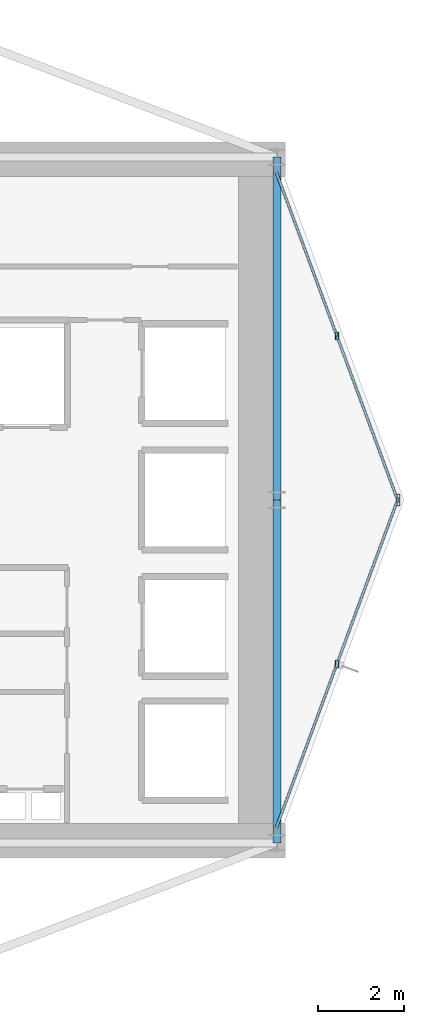
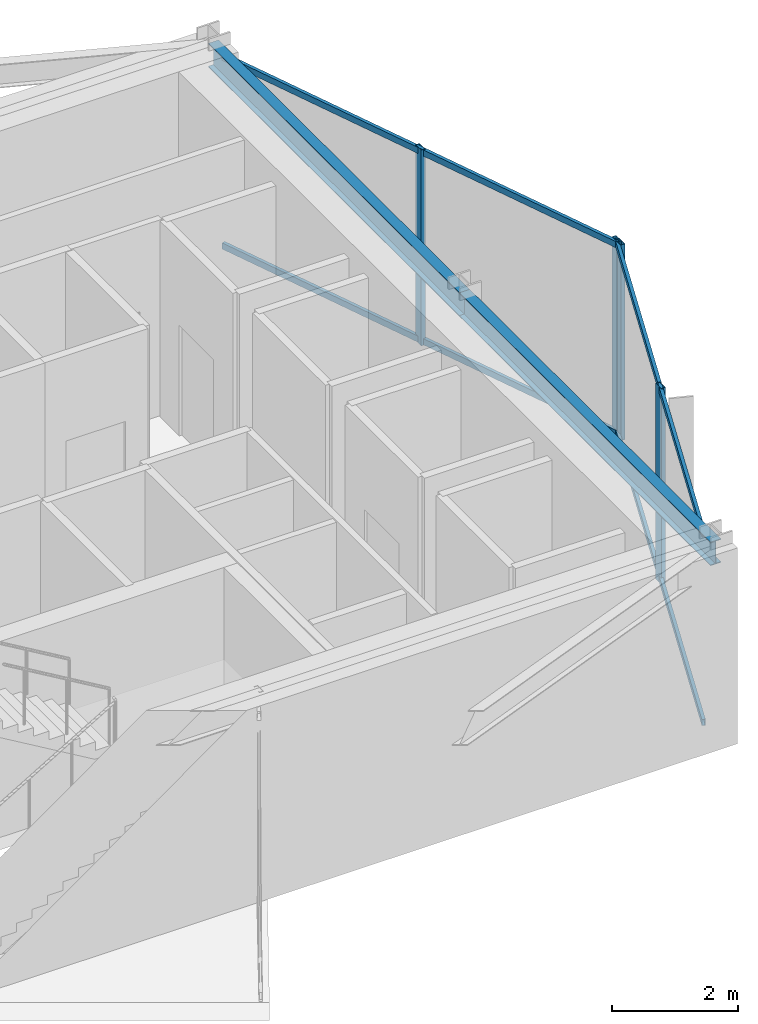
# One storey, part 15 of 23: 8 members, 2 beams, 2 elements without a shape of their own.
"""IFC4 building model written with IfcOpenShell, lengths in metres."""

from ifc_helpers import new_model, si_unit, direction, frame, origin, origin_2d, place, context, subcontext, project, spatial, hollow_rectangle, i_section, extrude, material, layer, layer_set, material_profile, profile_set, type_object, element, aggregate, save


model = new_model("IFC4")

# Units and contexts
model_context = context("Model", 3, precision=1e-05, world=origin(), true_north=direction((0.0, 1.0)))
body_context = subcontext(model_context, "Body", "Model", "MODEL_VIEW")
ifc_project = project(units=[si_unit("LENGTHUNIT", "METRE"), si_unit("AREAUNIT", "SQUARE_METRE"), si_unit("VOLUMEUNIT", "CUBIC_METRE"), si_unit("PLANEANGLEUNIT", "RADIAN"), si_unit("MASSUNIT", "GRAM", prefix="KILO")], contexts=[model_context])

# Site, building, storey
site_placement = place(None, origin())
site = spatial("IfcSite", under=ifc_project, at=site_placement, CompositionType="ELEMENT")
building_placement = place(site_placement, origin())
building = spatial("IfcBuilding", under=site, at=building_placement, Name="Veymaron Broadcast Tower", CompositionType="ELEMENT")
storey_placement = place(building_placement, frame((0.0, 0.0, 165.449951171875)))
storey = spatial("IfcBuildingStorey", under=building, at=storey_placement, Name="L38", CompositionType="ELEMENT", Elevation=165.449951171875)

# Beams
ifc_material_1 = material(Name="Structural steel ASTM A992 Gr 50", Category="steel")
ifc_material_profile_1 = material_profile(ifc_material_1, i_section(OverallWidth=0.19091796875, OverallDepth=0.4599609375, WebThickness=0.010009765625, FlangeThickness=0.01611328125, at=origin_2d()), Name="W460X82")
ifc_profile_set_1 = profile_set([ifc_material_profile_1], Name="Structural steel ASTM A992 Gr 50")
beam_type = type_object("IfcBeamType", Name="BM-SP1", PredefinedType="SPANDREL", material=ifc_profile_set_1)
for number, where, z_axis, x_axis, name in (
    (1, (54.60009765625, 16.0, 3.580078125), (0.0, 1.0, 0.0), (-1.0, 0.0, 0.0), "L38 primary structural floor girder"),
    (2, (54.60009765625, 24.0, 3.580078125), (0.0, 1.0, 0.0), (-1.0, 0.0, 0.0), "L38 primary structural floor girder"),
):
    element("IfcBeam", number, at=place(storey_placement, frame(where, z_axis=z_axis, x_axis=x_axis)), inside=storey, type_object=beam_type, Name=name, PredefinedType="SPANDREL", context=body_context, shape_type="SweptSolid", body=[
        extrude(i_section(OverallWidth=0.19091796875, OverallDepth=0.4599609375, WebThickness=0.010009765625, FlangeThickness=0.01611328125, at=origin_2d()), origin(), (0.0, 0.0, 1.0), 8.0),
    ])

# Curtain wall, members
ifc_material_2 = material(Name="Anodised aluminium AA 6063-T6 and laminated low-E dark glass", Category="aluminium")
ifc_layer = layer(ifc_material_2, 0.179931640625)
ifc_layer_set = layer_set([ifc_layer], Name="Anodised aluminium AA 6063-T6 and laminated low-E dark glass")
curtain_wall_type = type_object("IfcCurtainWallType", Name="CW-SYS-03", PredefinedType="NOTDEFINED", material=ifc_layer_set)
curtain_wall_1_placement = place(storey_placement, origin())
curtain_wall_1 = element("IfcCurtainWall", 3, at=curtain_wall_1_placement, inside=storey, type_object=curtain_wall_type, Name="L38 dark-glass curtain wall CW-L38-E3-1", PredefinedType="NOTDEFINED")
ifc_material_3 = material(Name="Anodised aluminium AA 6063-T6", Category="aluminium")
ifc_material_profile_2 = material_profile(ifc_material_3, hollow_rectangle(XDim=0.074951171875, YDim=0.179931640625, WallThickness=0.0048828125, at=origin_2d()), Name="AL180X75X5")
ifc_profile_set_2 = profile_set([ifc_material_profile_2], Name="Anodised aluminium AA 6063-T6")
member_type_1 = type_object("IfcMemberType", Name="CW-MUL-02", PredefinedType="MULLION", material=ifc_profile_set_2)
member_1_placement = place(storey_placement, frame((55.995849609375, 20.174560546875, 0.0), z_axis=(0.0, 0.0, 1.0), x_axis=(1.0, 0.0, 0.0)))
member_1 = element("IfcMember", 4, at=member_1_placement, type_object=member_type_1, Name="CW-L38-E3-1 mullion 1", PredefinedType="MULLION", context=body_context, shape_type="SweptSolid", body=[
    extrude(hollow_rectangle(XDim=0.074951171875, YDim=0.179931640625, WallThickness=0.0048828125, at=origin_2d()), origin(), (0.0, 0.0, 1.0), 3.81005859375),
])
member_2_placement = place(storey_placement, frame((57.4296875, 24.048583984375, 0.0), z_axis=(0.0, 0.0, 1.0), x_axis=(1.0, 0.0, 0.0)))
member_2 = element("IfcMember", 5, at=member_2_placement, type_object=member_type_1, Name="CW-L38-E3-1 mullion 2", PredefinedType="MULLION", context=body_context, shape_type="SweptSolid", body=[
    extrude(hollow_rectangle(XDim=0.074951171875, YDim=0.179931640625, WallThickness=0.0048828125, at=origin_2d()), origin(), (0.0, 0.0, 1.0), 3.81005859375),
])

curtain_wall_2_placement = place(storey_placement, origin())
curtain_wall_2 = element("IfcCurtainWall", 6, at=curtain_wall_2_placement, inside=storey, type_object=curtain_wall_type, Name="L38 dark-glass curtain wall CW-L38-E4-1", PredefinedType="NOTDEFINED")
member_3_placement = place(storey_placement, frame((57.4296875, 23.951416015625, 0.0), z_axis=(0.0, 0.0, 1.0), x_axis=(1.0, 0.0, 0.0)))
member_3 = element("IfcMember", 7, at=member_3_placement, type_object=member_type_1, Name="CW-L38-E4-1 mullion 0", PredefinedType="MULLION", context=body_context, shape_type="SweptSolid", body=[
    extrude(hollow_rectangle(XDim=0.074951171875, YDim=0.179931640625, WallThickness=0.0048828125, at=origin_2d()), origin(), (0.0, 0.0, 1.0), 3.81005859375),
])
member_4_placement = place(storey_placement, frame((55.995849609375, 27.825439453125, 0.0), z_axis=(0.0, 0.0, 1.0), x_axis=(1.0, 0.0, 0.0)))
member_4 = element("IfcMember", 8, at=member_4_placement, type_object=member_type_1, Name="CW-L38-E4-1 mullion 1", PredefinedType="MULLION", context=body_context, shape_type="SweptSolid", body=[
    extrude(hollow_rectangle(XDim=0.074951171875, YDim=0.179931640625, WallThickness=0.0048828125, at=origin_2d()), origin(), (0.0, 0.0, 1.0), 3.81005859375),
])

# Member
ifc_material_profile_3 = material_profile(ifc_material_3, hollow_rectangle(XDim=0.06005859375, YDim=0.1201171875, WallThickness=0.00390625, at=origin_2d()), Name="AL120X60X4")
ifc_profile_set_3 = profile_set([ifc_material_profile_3], Name="Anodised aluminium AA 6063-T6")
member_type_2 = type_object("IfcMemberType", Name="CW-TRN-02", PredefinedType="USERDEFINED", material=ifc_profile_set_3)
member_5_placement = place(storey_placement, frame((54.579345703125, 16.347412109375, 0.070068359375), z_axis=(0.347107808548, 0.93782523385, 0.0), x_axis=(-0.93782523385, 0.347107808548, 0.0)))
member_5 = element("IfcMember", 9, at=member_5_placement, type_object=member_type_2, Name="CW-L38-E3-1 transom B", ObjectType="TRANSOM", PredefinedType="USERDEFINED", context=body_context, shape_type="SweptSolid", body=[
    extrude(hollow_rectangle(XDim=0.06005859375, YDim=0.1201171875, WallThickness=0.00390625, at=origin_2d()), origin(), (0.0, 0.0, 1.0), 8.161865234375),
])

member_6_placement = place(storey_placement, frame((54.579345703125, 16.347412109375, 3.739990234375), z_axis=(0.347107808548, 0.93782523385, 0.0), x_axis=(-0.93782523385, 0.347107808548, 0.0)))
member_6 = element("IfcMember", 10, at=member_6_placement, type_object=member_type_2, Name="CW-L38-E3-1 transom T", ObjectType="TRANSOM", PredefinedType="USERDEFINED", context=body_context, shape_type="SweptSolid", body=[
    extrude(hollow_rectangle(XDim=0.06005859375, YDim=0.1201171875, WallThickness=0.00390625, at=origin_2d()), origin(), (0.0, 0.0, 1.0), 8.161865234375),
])

aggregate(curtain_wall_1, [member_1, member_2, member_5, member_6])

member_7_placement = place(storey_placement, frame((57.412353515625, 23.998291015625, 0.070068359375), z_axis=(-0.347107808548, 0.93782523385, 0.0), x_axis=(-0.93782523385, -0.347107808548, 0.0)))
member_7 = element("IfcMember", 11, at=member_7_placement, type_object=member_type_2, Name="CW-L38-E4-1 transom B", ObjectType="TRANSOM", PredefinedType="USERDEFINED", context=body_context, shape_type="SweptSolid", body=[
    extrude(hollow_rectangle(XDim=0.06005859375, YDim=0.1201171875, WallThickness=0.00390625, at=origin_2d()), origin(), (0.0, 0.0, 1.0), 8.161865234375),
])

member_8_placement = place(storey_placement, frame((57.412353515625, 23.998291015625, 3.739990234375), z_axis=(-0.347107808548, 0.93782523385, 0.0), x_axis=(-0.93782523385, -0.347107808548, 0.0)))
member_8 = element("IfcMember", 12, at=member_8_placement, type_object=member_type_2, Name="CW-L38-E4-1 transom T", ObjectType="TRANSOM", PredefinedType="USERDEFINED", context=body_context, shape_type="SweptSolid", body=[
    extrude(hollow_rectangle(XDim=0.06005859375, YDim=0.1201171875, WallThickness=0.00390625, at=origin_2d()), origin(), (0.0, 0.0, 1.0), 8.161865234375),
])

aggregate(curtain_wall_2, [member_3, member_4, member_7, member_8])

save(model, "model.ifc")
